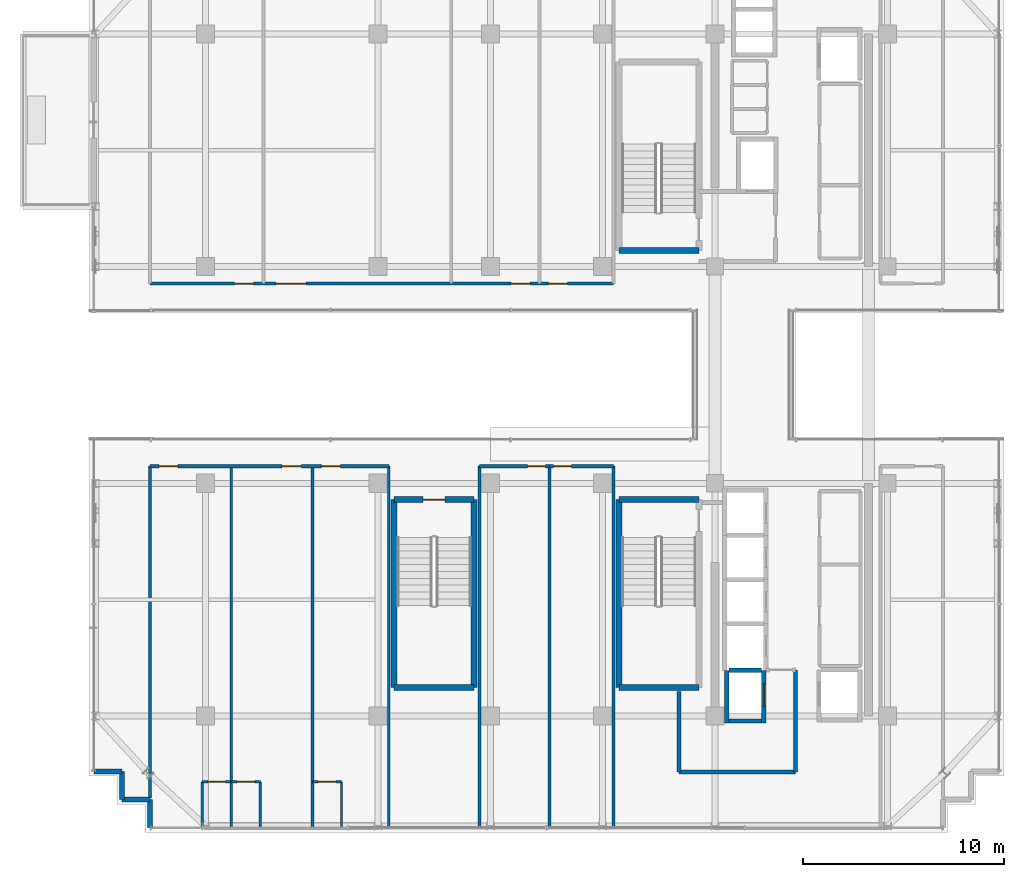
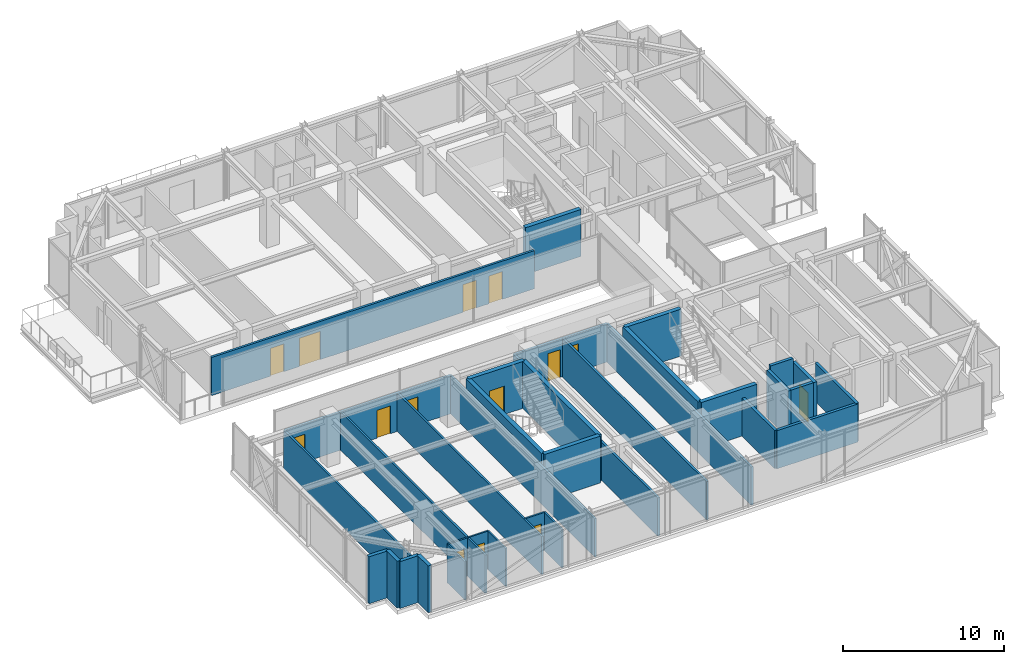
# One storey, part 34 of 41: 36 walls, 14 doors, 14 openings.
"""IFC4 building model written with IfcOpenShell, lengths in metres."""

from ifc_helpers import new_model, si_unit, direction, frame, frame_2d, origin, place, context, subcontext, project, spatial, rectangle, extrude, source, transform, mapped, material, layer, layer_set, type_object, element, fill, save


model = new_model("IFC4")

# Units and contexts
model_context = context("Model", 3, precision=1e-05, world=origin(), true_north=direction((0.0, 1.0)))
body_context = subcontext(model_context, "Body", "Model", "MODEL_VIEW")
ifc_project = project(units=[si_unit("LENGTHUNIT", "METRE"), si_unit("AREAUNIT", "SQUARE_METRE"), si_unit("VOLUMEUNIT", "CUBIC_METRE"), si_unit("PLANEANGLEUNIT", "RADIAN"), si_unit("MASSUNIT", "GRAM", prefix="KILO")], contexts=[model_context])

# Site, building, storey
site_placement = place(None, origin())
site = spatial("IfcSite", under=ifc_project, at=site_placement, CompositionType="ELEMENT")
building_placement = place(site_placement, origin())
building = spatial("IfcBuilding", under=site, at=building_placement, Name="Nahalor Promenade Grand Hotel", CompositionType="ELEMENT")
storey_placement = place(building_placement, frame((0.0, 0.0, 304.199951171875)))
storey = spatial("IfcBuildingStorey", under=building, at=storey_placement, Name="L78", CompositionType="ELEMENT", Elevation=304.199951171875)

# Walls
ifc_material_1 = material(Name="Concrete B-50 (C40/50)", Category="concrete")
ifc_layer_1 = layer(ifc_material_1, 0.300048828125)
ifc_layer_set_1 = layer_set([ifc_layer_1], Name="Concrete B-50 (C40/50)")
wall_type_1 = type_object("IfcWallType", Name="Wall-ShaftShear-300", PredefinedType="SHEAR", material=ifc_layer_set_1)
shared_shape_1 = source(origin(), body_context, "Body", "SweptSolid", [
    extrude(rectangle(XDim=3.97998046875, YDim=0.300048828125, at=frame_2d((1.989990234375, 0.0))), origin(), (0.0, 0.0, 1.0), 3.550048828125),
])
for number, where, z_axis, x_axis, name in (
    (1, (3.610107421875, 6.2099609375, 0.0), (0.0, 0.0, 1.0), (1.0, 0.0, 0.0), "L78 Exit Stair ST1 Shaft Wall S"),
    (2, (3.610107421875, -15.590087890625, 0.0), (0.0, 0.0, 1.0), (1.0, 0.0, 0.0), "L78 Exit Stair ST2 Shaft Wall S"),
    (3, (3.610107421875, -6.2099609375, 0.0), (0.0, 0.0, 1.0), (1.0, 0.0, 0.0), "L78 Exit Stair ST2 Shaft Wall N"),
    (4, (-7.590087890625, -15.590087890625, 0.0), (0.0, 0.0, 1.0), (1.0, 0.0, 0.0), "L78 Exit Stair ST3 Shaft Wall S"),
):
    element("IfcWall", number, at=place(storey_placement, frame(where, z_axis=z_axis, x_axis=x_axis)), inside=storey, type_object=wall_type_1, Name=name, PredefinedType="SHEAR", context=body_context, shape_type="MappedRepresentation", body=[
        mapped(shared_shape_1, transform((0.0, 0.0, 0.0), scale=1.0)),
    ])

# Wall, opening, door
wall_1_placement = place(storey_placement, frame((-7.590087890625, -6.2099609375, 0.0), z_axis=(0.0, 0.0, 1.0), x_axis=(1.0, 0.0, 0.0)))
wall_1 = element("IfcWall", 5, at=wall_1_placement, inside=storey, type_object=wall_type_1, Name="L78 Exit Stair ST3 Shaft Wall N", PredefinedType="SHEAR", context=body_context, shape_type="MappedRepresentation", body=[
    mapped(shared_shape_1, transform((0.0, 0.0, 0.0), scale=1.0)),
])
opening_1_placement = place(wall_1_placement, frame((1.43994140625, 0.0, 0.0)))
opening_1 = element("IfcOpeningElement", 6, at=opening_1_placement, cuts=wall_1, Name="Opening D-ST1", PredefinedType="OPENING", context=body_context, shape_type="SweptSolid", body=[
    extrude(rectangle(XDim=1.10009765625, YDim=2.14990234375, at=frame_2d((0.550048828125, 1.074951171875))), frame((0.0, 0.159912109375, 0.0), z_axis=(0.0, -1.0, 0.0), x_axis=(1.0, 0.0, 0.0)), (0.0, 0.0, 1.0), 0.320068359375),
])
ifc_material_2 = material(Name="Steel S355JR", Category="steel")
door_type_1 = type_object("IfcDoorType", Name="Door-StairFire-1100", OperationType="NOTDEFINED", PredefinedType="DOOR", material=ifc_material_2)
shared_shape_2 = source(origin(), body_context, "Body", "SweptSolid", [
    extrude(rectangle(XDim=1.10009765625, YDim=2.14990234375, at=frame_2d((0.550048828125, 1.074951171875))), frame((0.0, 0.02490234375, 0.0), z_axis=(0.0, -1.0, 0.0), x_axis=(1.0, 0.0, 0.0)), (0.0, 0.0, 1.0), 0.050048828125),
])
door_1_placement = place(opening_1_placement, frame((1.10009765625, 0.0, 0.0), z_axis=(0.0, 0.0, 1.0), x_axis=(-1.0, 0.0, 0.0)))
door_1 = element("IfcDoor", 7, at=door_1_placement, inside=storey, type_object=door_type_1, Name="DR-STAIR-ST3-L78", OperationType="SINGLE_SWING_LEFT", OverallHeight=2.14990234375, OverallWidth=1.10009765625, PredefinedType="DOOR", context=body_context, shape_type="MappedRepresentation", body=[
    mapped(shared_shape_2, transform((0.0, 0.0, 0.0), scale=1.0)),
])
fill(opening_1, door_1)

# Walls
shared_shape_3 = source(origin(), body_context, "Body", "SweptSolid", [
    extrude(rectangle(XDim=9.380126953125, YDim=0.300048828125, at=frame_2d((4.68994140625, 0.0))), origin(), (0.0, 0.0, 1.0), 3.550048828125),
])
for number, where, z_axis, x_axis, name in (
    (8, (3.610107421875, -15.590087890625, 0.0), (0.0, 0.0, 1.0), (0.0, 1.0, 0.0), "L78 Exit Stair ST2 Shaft Wall W"),
    (9, (-7.590087890625, -15.590087890625, 0.0), (0.0, 0.0, 1.0), (0.0, 1.0, 0.0), "L78 Exit Stair ST3 Shaft Wall W"),
    (10, (-3.610107421875, -15.590087890625, 0.0), (0.0, 0.0, 1.0), (0.0, 1.0, 0.0), "L78 Exit Stair ST3 Shaft Wall E"),
):
    element("IfcWall", number, at=place(storey_placement, frame(where, z_axis=z_axis, x_axis=x_axis)), inside=storey, type_object=wall_type_1, Name=name, PredefinedType="SHEAR", context=body_context, shape_type="MappedRepresentation", body=[
        mapped(shared_shape_3, transform((0.0, 0.0, 0.0), scale=1.0)),
    ])
ifc_layer_2 = layer(ifc_material_1, 0.219970703125)
ifc_layer_set_2 = layer_set([ifc_layer_2], Name="Concrete B-50 (C40/50)")
wall_type_2 = type_object("IfcWallType", Name="Wall-LiftShaft-220", PredefinedType="SHEAR", material=ifc_layer_set_2)
shared_shape_4 = source(origin(), body_context, "Body", "SweptSolid", [
    extrude(rectangle(XDim=2.635009765625, YDim=0.219970703125, at=frame_2d((1.3173828125, 0.0))), origin(), (0.0, 0.0, 1.0), 3.550048828125),
])
wall_2_placement = place(storey_placement, frame((8.97998046875, -17.360107421875, 0.0), z_axis=(0.0, 0.0, 1.0), x_axis=(0.0, 1.0, 0.0)))
element("IfcWall", 11, at=wall_2_placement, inside=storey, type_object=wall_type_2, Name="L78 Lift FL2 Hoistway Wall W", PredefinedType="SHEAR", context=body_context, shape_type="MappedRepresentation", body=[
    mapped(shared_shape_4, transform((0.0, 0.0, 0.0), scale=1.0)),
])

# Wall, opening, door
wall_3_placement = place(storey_placement, frame((10.820068359375, -17.360107421875, 0.0), z_axis=(0.0, 0.0, 1.0), x_axis=(0.0, 1.0, 0.0)))
wall_3 = element("IfcWall", 12, at=wall_3_placement, inside=storey, type_object=wall_type_2, Name="L78 Lift FL2 Hoistway Wall E", PredefinedType="SHEAR", context=body_context, shape_type="MappedRepresentation", body=[
    mapped(shared_shape_4, transform((0.0, 0.0, 0.0), scale=1.0)),
])
opening_2_placement = place(wall_3_placement, frame((0.860107421875, 0.0, 0.0)))
opening_2 = element("IfcOpeningElement", 13, at=opening_2_placement, cuts=wall_3, Name="Opening LD-02", PredefinedType="OPENING", context=body_context, shape_type="SweptSolid", body=[
    extrude(rectangle(XDim=1.10009765625, YDim=2.199951171875, at=frame_2d((0.550048828125, 1.10009765625))), frame((0.0, 0.119873046875, 0.0), z_axis=(0.0, -1.0, 0.0), x_axis=(1.0, 0.0, 0.0)), (0.0, 0.0, 1.0), 0.239990234375),
])
door_type_2 = type_object("IfcDoorType", Name="Door-LiftFF-1100", OperationType="DOUBLE_DOOR_SLIDING", PredefinedType="DOOR", material=ifc_material_2)
shared_shape_5 = source(origin(), body_context, "Body", "SweptSolid", [
    extrude(rectangle(XDim=1.10009765625, YDim=2.199951171875, at=frame_2d((0.550048828125, 1.10009765625))), frame((0.0, 0.02490234375, 0.0), z_axis=(0.0, -1.0, 0.0), x_axis=(1.0, 0.0, 0.0)), (0.0, 0.0, 1.0), 0.050048828125),
])
door_2_placement = place(opening_2_placement, frame((1.10009765625, 0.0, 0.0), z_axis=(0.0, 0.0, 1.0), x_axis=(-1.0, 0.0, 0.0)))
door_2 = element("IfcDoor", 14, at=door_2_placement, inside=storey, type_object=door_type_2, Name="DR-LIFT-FL2-L78", OperationType="DOUBLE_DOOR_SLIDING", OverallHeight=2.199951171875, OverallWidth=1.10009765625, PredefinedType="DOOR", context=body_context, shape_type="MappedRepresentation", body=[
    mapped(shared_shape_5, transform((0.0, 0.0, 0.0), scale=1.0)),
])
fill(opening_2, door_2)

# Walls
shared_shape_6 = source(origin(), body_context, "Body", "SweptSolid", [
    extrude(rectangle(XDim=1.619873046875, YDim=0.219970703125, at=frame_2d((0.81005859375, 0.0))), origin(), (0.0, 0.0, 1.0), 3.550048828125),
])
wall_4_placement = place(storey_placement, frame((9.090087890625, -17.25, 0.0), z_axis=(0.0, 0.0, 1.0), x_axis=(1.0, 0.0, 0.0)))
element("IfcWall", 15, at=wall_4_placement, inside=storey, type_object=wall_type_2, Name="L78 Lift FL2 Hoistway Wall S", PredefinedType="SHEAR", context=body_context, shape_type="MappedRepresentation", body=[
    mapped(shared_shape_6, transform((0.0, 0.0, 0.0), scale=1.0)),
])
shared_shape_7 = source(origin(), body_context, "Body", "SweptSolid", [
    extrude(rectangle(XDim=1.619873046875, YDim=0.219970703125, at=frame_2d((0.81005859375, 0.0))), origin(), (0.0, 0.0, 1.0), 3.85009765625),
])
wall_5_placement = place(storey_placement, frame((9.090087890625, -14.72509765625, 0.0), z_axis=(0.0, 0.0, 1.0), x_axis=(1.0, 0.0, 0.0)))
element("IfcWall", 16, at=wall_5_placement, inside=storey, type_object=wall_type_2, Name="L78 Lift FL2 Hoistway Wall N", PredefinedType="SHEAR", context=body_context, shape_type="MappedRepresentation", body=[
    mapped(shared_shape_7, transform((0.0, 0.0, 0.0), scale=1.0)),
])
ifc_material_3 = material(Name="Concrete B-40 (C32/40)", Category="concrete")
ifc_layer_3 = layer(ifc_material_3, 0.25)
ifc_layer_set_3 = layer_set([ifc_layer_3], Name="Concrete B-40 (C32/40)")
wall_type_3 = type_object("IfcWallType", Name="Wall-BronzePier-250", PredefinedType="STANDARD", material=ifc_layer_set_3)
shared_shape_8 = source(origin(), body_context, "Body", "SweptSolid", [
    extrude(rectangle(XDim=1.400146484375, YDim=0.25, at=frame_2d((0.7001953125, 0.0))), origin(), (0.0, 0.0, 1.0), 3.550048828125),
])
for number, where, z_axis, x_axis, name in (
    (17, (-22.56005859375, -19.760009765625, 0.0), (0.0, 0.0, 1.0), (1.0, 0.0, 0.0), "W-L78-SR-13"),
    (18, (-19.760009765625, -22.56005859375, 0.0), (0.0, 0.0, 1.0), (0.0, 1.0, 0.0), "W-L78-SR-16"),
):
    element("IfcWall", number, at=place(storey_placement, frame(where, z_axis=z_axis, x_axis=x_axis)), inside=storey, type_object=wall_type_3, Name=name, PredefinedType="STANDARD", context=body_context, shape_type="MappedRepresentation", body=[
        mapped(shared_shape_8, transform((0.0, 0.0, 0.0), scale=1.0)),
    ])
shared_shape_9 = source(origin(), body_context, "Body", "SweptSolid", [
    extrude(rectangle(XDim=1.39990234375, YDim=0.25, at=frame_2d((0.699951171875, 0.0))), origin(), (0.0, 0.0, 1.0), 3.550048828125),
])
for number, where, z_axis, x_axis, name in (
    (19, (-21.159912109375, -21.159912109375, 0.0), (0.0, 0.0, 1.0), (0.0, 1.0, 0.0), "W-L78-SR-14"),
    (20, (-21.159912109375, -21.159912109375, 0.0), (0.0, 0.0, 1.0), (1.0, 0.0, 0.0), "W-L78-SR-15"),
):
    element("IfcWall", number, at=place(storey_placement, frame(where, z_axis=z_axis, x_axis=x_axis)), inside=storey, type_object=wall_type_3, Name=name, PredefinedType="STANDARD", context=body_context, shape_type="MappedRepresentation", body=[
        mapped(shared_shape_9, transform((0.0, 0.0, 0.0), scale=1.0)),
    ])
ifc_layer_4 = layer(ifc_material_3, 0.199951171875)
ifc_layer_set_4 = layer_set([ifc_layer_4], Name="Concrete B-40 (C32/40)")
wall_type_4 = type_object("IfcWallType", Name="Wall-PartFire-200", PredefinedType="PARTITIONING", material=ifc_layer_set_4)
shared_shape_10 = source(origin(), body_context, "Body", "SweptSolid", [
    extrude(rectangle(XDim=5.81982421875, YDim=0.199951171875, at=frame_2d((2.909912109375, 0.0))), origin(), (0.0, 0.0, 1.0), 2.89013671875),
])
wall_6_placement = place(storey_placement, frame((6.60009765625, -19.800048828125, 0.0), z_axis=(0.0, 0.0, 1.0), x_axis=(1.0, 0.0, 0.0)))
element("IfcWall", 21, at=wall_6_placement, inside=storey, type_object=wall_type_4, Name="W-L78-FF2-S1", PredefinedType="PARTITIONING", context=body_context, shape_type="MappedRepresentation", body=[
    mapped(shared_shape_10, transform((0.0, 0.0, 0.0), scale=1.0)),
])
shared_shape_11 = source(origin(), body_context, "Body", "SweptSolid", [
    extrude(rectangle(XDim=4.030029296875, YDim=0.199951171875, at=frame_2d((2.01513671875, 0.0))), origin(), (0.0, 0.0, 1.0), 2.89013671875),
])
wall_7_placement = place(storey_placement, frame((6.60009765625, -19.800048828125, 0.0), z_axis=(0.0, 0.0, 1.0), x_axis=(0.0, 1.0, 0.0)))
element("IfcWall", 22, at=wall_7_placement, inside=storey, type_object=wall_type_4, Name="W-L78-FF2-W1", PredefinedType="PARTITIONING", context=body_context, shape_type="MappedRepresentation", body=[
    mapped(shared_shape_11, transform((0.0, 0.0, 0.0), scale=1.0)),
])
shared_shape_12 = source(origin(), body_context, "Body", "SweptSolid", [
    extrude(rectangle(XDim=5.10009765625, YDim=0.199951171875, at=frame_2d((2.550048828125, 0.0))), origin(), (0.0, 0.0, 1.0), 2.89013671875),
])
wall_8_placement = place(storey_placement, frame((12.419921875, -19.800048828125, 0.0), z_axis=(0.0, 0.0, 1.0), x_axis=(0.0, 1.0, 0.0)))
element("IfcWall", 23, at=wall_8_placement, inside=storey, type_object=wall_type_4, Name="W-L78-FF2-E", PredefinedType="PARTITIONING", context=body_context, shape_type="MappedRepresentation", body=[
    mapped(shared_shape_12, transform((0.0, 0.0, 0.0), scale=1.0)),
])
ifc_material_4 = material(Name="Acoustic Mineral Gypsum", Category="gypsum")
ifc_layer_5 = layer(ifc_material_4, 0.159912109375)
ifc_layer_set_5 = layer_set([ifc_layer_5], Name="Acoustic Mineral Gypsum")
wall_type_5 = type_object("IfcWallType", Name="Wall-PartCorridor-160", PredefinedType="PARTITIONING", material=ifc_layer_set_5)
shared_shape_13 = source(origin(), body_context, "Body", "SweptSolid", [
    extrude(rectangle(XDim=17.949951171875, YDim=0.159912109375, at=frame_2d((8.97509765625, 0.0))), origin(), (0.0, 0.0, 1.0), 2.89013671875),
])
for number, where, z_axis, x_axis, name in (
    (24, (-3.340087890625, -22.5, 0.0), (0.0, 0.0, 1.0), (0.0, 1.0, 0.0), "W-L78-SCB1-W"),
    (25, (0.14990234375, -22.5, 0.0), (0.0, 0.0, 1.0), (0.0, 1.0, 0.0), "W-L78-SCB1-E"),
    (26, (3.340087890625, -22.5, 0.0), (0.0, 0.0, 1.0), (0.0, 1.0, 0.0), "W-L78-SCB2-E"),
):
    element("IfcWall", number, at=place(storey_placement, frame(where, z_axis=z_axis, x_axis=x_axis)), inside=storey, type_object=wall_type_5, Name=name, PredefinedType="PARTITIONING", context=body_context, shape_type="MappedRepresentation", body=[
        mapped(shared_shape_13, transform((0.0, 0.0, 0.0), scale=1.0)),
    ])

# Wall, openings, doors
shared_shape_14 = source(origin(), body_context, "Body", "SweptSolid", [
    extrude(rectangle(XDim=23.10009765625, YDim=0.159912109375, at=frame_2d((11.550048828125, 0.0))), origin(), (0.0, 0.0, 1.0), 2.89013671875),
])
wall_9_placement = place(storey_placement, frame((-19.760009765625, 4.550048828125, 0.0), z_axis=(0.0, 0.0, 1.0), x_axis=(1.0, 0.0, 0.0)))
wall_9 = element("IfcWall", 27, at=wall_9_placement, inside=storey, type_object=wall_type_5, Name="W-L78-CORR-N", PredefinedType="PARTITIONING", context=body_context, shape_type="MappedRepresentation", body=[
    mapped(shared_shape_14, transform((0.0, 0.0, 0.0), scale=1.0)),
])
opening_3_placement = place(wall_9_placement, frame((4.217041015625, 0.0, 0.0)))
opening_3 = element("IfcOpeningElement", 28, at=opening_3_placement, cuts=wall_9, Name="Opening D-01", PredefinedType="OPENING", context=body_context, shape_type="SweptSolid", body=[
    extrude(rectangle(XDim=0.949951171875, YDim=2.10009765625, at=frame_2d((0.47509765625, 1.050048828125))), frame((0.0, 0.08984375, 0.0), z_axis=(0.0, -1.0, 0.0), x_axis=(1.0, 0.0, 0.0)), (0.0, 0.0, 1.0), 0.179931640625),
])
opening_4_placement = place(wall_9_placement, frame((6.282958984375, 0.0, 0.0)))
opening_4 = element("IfcOpeningElement", 29, at=opening_4_placement, cuts=wall_9, Name="Opening D-02", PredefinedType="OPENING", context=body_context, shape_type="SweptSolid", body=[
    extrude(rectangle(XDim=1.5, YDim=2.14990234375, at=frame_2d((0.75, 1.074951171875))), frame((0.0, 0.08984375, 0.0), z_axis=(0.0, -1.0, 0.0), x_axis=(1.0, 0.0, 0.0)), (0.0, 0.0, 1.0), 0.179931640625),
])
opening_5_placement = place(wall_9_placement, frame((17.991943359375, 0.0, 0.0)))
opening_5 = element("IfcOpeningElement", 30, at=opening_5_placement, cuts=wall_9, Name="Opening D-01", PredefinedType="OPENING", context=body_context, shape_type="SweptSolid", body=[
    extrude(rectangle(XDim=0.949951171875, YDim=2.10009765625, at=frame_2d((0.47509765625, 1.050048828125))), frame((0.0, 0.08984375, 0.0), z_axis=(0.0, -1.0, 0.0), x_axis=(1.0, 0.0, 0.0)), (0.0, 0.0, 1.0), 0.179931640625),
])
opening_6_placement = place(wall_9_placement, frame((19.85107421875, 0.0, 0.0)))
opening_6 = element("IfcOpeningElement", 31, at=opening_6_placement, cuts=wall_9, Name="Opening D-01", PredefinedType="OPENING", context=body_context, shape_type="SweptSolid", body=[
    extrude(rectangle(XDim=0.949951171875, YDim=2.10009765625, at=frame_2d((0.47509765625, 1.050048828125))), frame((0.0, 0.08984375, 0.0), z_axis=(0.0, -1.0, 0.0), x_axis=(1.0, 0.0, 0.0)), (0.0, 0.0, 1.0), 0.179931640625),
])
ifc_material_5 = material(Name="Fire-Rated Timber Composite", Category="wood")
door_type_3 = type_object("IfcDoorType", Name="Door-SuiteDouble-1500", OperationType="DOUBLE_DOOR_SINGLE_SWING", PredefinedType="DOOR", material=ifc_material_5)
shared_shape_15 = source(origin(), body_context, "Body", "SweptSolid", [
    extrude(rectangle(XDim=1.5, YDim=2.14990234375, at=frame_2d((0.75, 1.074951171875))), frame((0.0, 0.02490234375, 0.0), z_axis=(0.0, -1.0, 0.0), x_axis=(1.0, 0.0, 0.0)), (0.0, 0.0, 1.0), 0.050048828125),
])
door_3_placement = place(opening_4_placement, origin())
door_3 = element("IfcDoor", 32, at=door_3_placement, inside=storey, type_object=door_type_3, Name="DR-L78-N2-ENT", OperationType="DOUBLE_DOOR_SINGLE_SWING", OverallHeight=2.14990234375, OverallWidth=1.5, PredefinedType="DOOR", context=body_context, shape_type="MappedRepresentation", body=[
    mapped(shared_shape_15, transform((0.0, 0.0, 0.0), scale=1.0)),
])
fill(opening_4, door_3)
door_type_4 = type_object("IfcDoorType", Name="Door-GuestEntry-950", OperationType="NOTDEFINED", PredefinedType="DOOR", material=ifc_material_5)
shared_shape_16 = source(origin(), body_context, "Body", "SweptSolid", [
    extrude(rectangle(XDim=0.949951171875, YDim=2.10009765625, at=frame_2d((0.47509765625, 1.050048828125))), frame((0.0, 0.02490234375, 0.0), z_axis=(0.0, -1.0, 0.0), x_axis=(1.0, 0.0, 0.0)), (0.0, 0.0, 1.0), 0.050048828125),
])
door_4_placement = place(opening_3_placement, origin())
door_4 = element("IfcDoor", 33, at=door_4_placement, inside=storey, type_object=door_type_4, Name="DR-L78-N1-ENT", OperationType="SINGLE_SWING_LEFT", OverallHeight=2.10009765625, OverallWidth=0.949951171875, PredefinedType="DOOR", context=body_context, shape_type="MappedRepresentation", body=[
    mapped(shared_shape_16, transform((0.0, 0.0, 0.0), scale=1.0)),
])
fill(opening_3, door_4)
door_5_placement = place(opening_5_placement, origin())
door_5 = element("IfcDoor", 34, at=door_5_placement, inside=storey, type_object=door_type_4, Name="DR-L78-N3-ENT", OperationType="SINGLE_SWING_RIGHT", OverallHeight=2.10009765625, OverallWidth=0.949951171875, PredefinedType="DOOR", context=body_context, shape_type="MappedRepresentation", body=[
    mapped(shared_shape_16, transform((0.0, 0.0, 0.0), scale=1.0)),
])
fill(opening_5, door_5)
door_6_placement = place(opening_6_placement, origin())
door_6 = element("IfcDoor", 35, at=door_6_placement, inside=storey, type_object=door_type_4, Name="DR-L78-N4-ENT", OperationType="SINGLE_SWING_RIGHT", OverallHeight=2.10009765625, OverallWidth=0.949951171875, PredefinedType="DOOR", context=body_context, shape_type="MappedRepresentation", body=[
    mapped(shared_shape_16, transform((0.0, 0.0, 0.0), scale=1.0)),
])
fill(opening_6, door_6)

# Walls
ifc_layer_6 = layer(ifc_material_4, 0.139892578125)
ifc_layer_set_6 = layer_set([ifc_layer_6], Name="Acoustic Mineral Gypsum")
wall_type_6 = type_object("IfcWallType", Name="Wall-PartSuite-140", PredefinedType="PARTITIONING", material=ifc_layer_set_6)
shared_shape_17 = source(origin(), body_context, "Body", "SweptSolid", [
    extrude(rectangle(XDim=16.530029296875, YDim=0.139892578125, at=frame_2d((8.26513671875, 0.0))), origin(), (0.0, 0.0, 1.0), 2.89013671875),
])
wall_10_placement = place(storey_placement, frame((-19.760009765625, -21.080078125, 0.0), z_axis=(0.0, 0.0, 1.0), x_axis=(0.0, 1.0, 0.0)))
element("IfcWall", 36, at=wall_10_placement, inside=storey, type_object=wall_type_6, Name="W-L78-SW-ENDW", PredefinedType="PARTITIONING", context=body_context, shape_type="MappedRepresentation", body=[
    mapped(shared_shape_17, transform((0.0, 0.0, 0.0), scale=1.0)),
])
shared_shape_18 = source(origin(), body_context, "Body", "SweptSolid", [
    extrude(rectangle(XDim=17.949951171875, YDim=0.139892578125, at=frame_2d((8.97509765625, 0.0))), origin(), (0.0, 0.0, 1.0), 2.89013671875),
])
for number, where, z_axis, x_axis, name in (
    (37, (-7.860107421875, -22.5, 0.0), (0.0, 0.0, 1.0), (0.0, 1.0, 0.0), "W-L78-SW-ENDE"),
    (38, (-15.714111328125, -22.5, 0.0), (0.0, 0.0, 1.0), (0.0, 1.0, 0.0), "W-L78-SP-1"),
    (39, (-11.66796875, -22.5, 0.0), (0.0, 0.0, 1.0), (0.0, 1.0, 0.0), "W-L78-SP-2"),
):
    element("IfcWall", number, at=place(storey_placement, frame(where, z_axis=z_axis, x_axis=x_axis)), inside=storey, type_object=wall_type_6, Name=name, PredefinedType="PARTITIONING", context=body_context, shape_type="MappedRepresentation", body=[
        mapped(shared_shape_18, transform((0.0, 0.0, 0.0), scale=1.0)),
    ])

# Wall, opening, door
ifc_layer_7 = layer(ifc_material_4, 0.1201171875)
ifc_layer_set_7 = layer_set([ifc_layer_7], Name="Acoustic Mineral Gypsum")
wall_type_7 = type_object("IfcWallType", Name="Wall-PartBath-120", PredefinedType="PARTITIONING", material=ifc_layer_set_7)
shared_shape_19 = source(origin(), body_context, "Body", "SweptSolid", [
    extrude(rectangle(XDim=1.449951171875, YDim=0.1201171875, at=frame_2d((0.72509765625, 0.0))), origin(), (0.0, 0.0, 1.0), 2.89013671875),
])
wall_11_placement = place(storey_placement, frame((-17.1640625, -20.280029296875, 0.0), z_axis=(0.0, 0.0, 1.0), x_axis=(1.0, 0.0, 0.0)))
wall_11 = element("IfcWall", 40, at=wall_11_placement, inside=storey, type_object=wall_type_7, Name="W-L78-S1-BH", PredefinedType="PARTITIONING", context=body_context, shape_type="MappedRepresentation", body=[
    mapped(shared_shape_19, transform((0.0, 0.0, 0.0), scale=1.0)),
])
opening_7_placement = place(wall_11_placement, frame((0.284912109375, 0.0, 0.0)))
opening_7 = element("IfcOpeningElement", 41, at=opening_7_placement, cuts=wall_11, Name="Opening D-03", PredefinedType="OPENING", context=body_context, shape_type="SweptSolid", body=[
    extrude(rectangle(XDim=0.8798828125, YDim=2.10009765625, at=frame_2d((0.43994140625, 1.050048828125))), frame((0.0, 0.070068359375, 0.0), z_axis=(0.0, -1.0, 0.0), x_axis=(1.0, 0.0, 0.0)), (0.0, 0.0, 1.0), 0.14013671875),
])
door_type_5 = type_object("IfcDoorType", Name="Door-BathSwing-880", OperationType="NOTDEFINED", PredefinedType="DOOR", material=ifc_material_5)
shared_shape_20 = source(origin(), body_context, "Body", "SweptSolid", [
    extrude(rectangle(XDim=0.8798828125, YDim=2.10009765625, at=frame_2d((0.43994140625, 1.050048828125))), frame((0.0, 0.02490234375, 0.0), z_axis=(0.0, -1.0, 0.0), x_axis=(1.0, 0.0, 0.0)), (0.0, 0.0, 1.0), 0.050048828125),
])
door_7_placement = place(opening_7_placement, frame((0.8798828125, 0.0, 0.0), z_axis=(0.0, 0.0, 1.0), x_axis=(-1.0, 0.0, 0.0)))
door_7 = element("IfcDoor", 42, at=door_7_placement, inside=storey, type_object=door_type_5, Name="DR-L78-S1-BATH", OperationType="SINGLE_SWING_LEFT", OverallHeight=2.10009765625, OverallWidth=0.8798828125, PredefinedType="DOOR", context=body_context, shape_type="MappedRepresentation", body=[
    mapped(shared_shape_20, transform((0.0, 0.0, 0.0), scale=1.0)),
])
fill(opening_7, door_7)

wall_12_placement = place(storey_placement, frame((-11.66796875, -20.280029296875, 0.0), z_axis=(0.0, 0.0, 1.0), x_axis=(1.0, 0.0, 0.0)))
wall_12 = element("IfcWall", 43, at=wall_12_placement, inside=storey, type_object=wall_type_7, Name="W-L78-S3-BH", PredefinedType="PARTITIONING", context=body_context, shape_type="MappedRepresentation", body=[
    mapped(shared_shape_19, transform((0.0, 0.0, 0.0), scale=1.0)),
])
opening_8_placement = place(wall_12_placement, frame((0.284912109375, 0.0, 0.0)))
opening_8 = element("IfcOpeningElement", 44, at=opening_8_placement, cuts=wall_12, Name="Opening D-03", PredefinedType="OPENING", context=body_context, shape_type="SweptSolid", body=[
    extrude(rectangle(XDim=0.8798828125, YDim=2.10009765625, at=frame_2d((0.43994140625, 1.050048828125))), frame((0.0, 0.070068359375, 0.0), z_axis=(0.0, -1.0, 0.0), x_axis=(1.0, 0.0, 0.0)), (0.0, 0.0, 1.0), 0.14013671875),
])
door_8_placement = place(opening_8_placement, frame((0.8798828125, 0.0, 0.0), z_axis=(0.0, 0.0, 1.0), x_axis=(-1.0, 0.0, 0.0)))
door_8 = element("IfcDoor", 45, at=door_8_placement, inside=storey, type_object=door_type_5, Name="DR-L78-S3-BATH", OperationType="SINGLE_SWING_LEFT", OverallHeight=2.10009765625, OverallWidth=0.8798828125, PredefinedType="DOOR", context=body_context, shape_type="MappedRepresentation", body=[
    mapped(shared_shape_20, transform((0.0, 0.0, 0.0), scale=1.0)),
])
fill(opening_8, door_8)

# Walls
shared_shape_21 = source(origin(), body_context, "Body", "SweptSolid", [
    extrude(rectangle(XDim=2.219970703125, YDim=0.1201171875, at=frame_2d((1.10986328125, 0.0))), origin(), (0.0, 0.0, 1.0), 2.89013671875),
])
for number, where, z_axis, x_axis, name in (
    (46, (-17.1640625, -22.5, 0.0), (0.0, 0.0, 1.0), (0.0, 1.0, 0.0), "W-L78-S1-BV"),
    (47, (-14.263916015625, -22.5, 0.0), (0.0, 0.0, 1.0), (0.0, 1.0, 0.0), "W-L78-S2-BV"),
    (48, (-10.218017578125, -22.5, 0.0), (0.0, 0.0, 1.0), (0.0, 1.0, 0.0), "W-L78-S3-BV"),
):
    element("IfcWall", number, at=place(storey_placement, frame(where, z_axis=z_axis, x_axis=x_axis)), inside=storey, type_object=wall_type_7, Name=name, PredefinedType="PARTITIONING", context=body_context, shape_type="MappedRepresentation", body=[
        mapped(shared_shape_21, transform((0.0, 0.0, 0.0), scale=1.0)),
    ])

# Wall, openings, doors
shared_shape_22 = source(origin(), body_context, "Body", "SweptSolid", [
    extrude(rectangle(XDim=11.89990234375, YDim=0.159912109375, at=frame_2d((5.949951171875, 0.0))), origin(), (0.0, 0.0, 1.0), 2.89013671875),
])
wall_13_placement = place(storey_placement, frame((-19.760009765625, -4.550048828125, 0.0), z_axis=(0.0, 0.0, 1.0), x_axis=(1.0, 0.0, 0.0)))
wall_13 = element("IfcWall", 49, at=wall_13_placement, inside=storey, type_object=wall_type_5, Name="W-L78-CORR-S", PredefinedType="PARTITIONING", context=body_context, shape_type="MappedRepresentation", body=[
    mapped(shared_shape_22, transform((0.0, 0.0, 0.0), scale=1.0)),
])
opening_9_placement = place(wall_13_placement, frame((0.455078125, 0.0, 0.0)))
opening_9 = element("IfcOpeningElement", 50, at=opening_9_placement, cuts=wall_13, Name="Opening D-01", PredefinedType="OPENING", context=body_context, shape_type="SweptSolid", body=[
    extrude(rectangle(XDim=0.949951171875, YDim=2.10009765625, at=frame_2d((0.47509765625, 1.050048828125))), frame((0.0, 0.08984375, 0.0), z_axis=(0.0, -1.0, 0.0), x_axis=(1.0, 0.0, 0.0)), (0.0, 0.0, 1.0), 0.179931640625),
])
opening_10_placement = place(wall_13_placement, frame((6.587890625, 0.0, 0.0)))
opening_10 = element("IfcOpeningElement", 51, at=opening_10_placement, cuts=wall_13, Name="Opening D-01", PredefinedType="OPENING", context=body_context, shape_type="SweptSolid", body=[
    extrude(rectangle(XDim=0.949951171875, YDim=2.10009765625, at=frame_2d((0.47509765625, 1.050048828125))), frame((0.0, 0.08984375, 0.0), z_axis=(0.0, -1.0, 0.0), x_axis=(1.0, 0.0, 0.0)), (0.0, 0.0, 1.0), 0.179931640625),
])
opening_11_placement = place(wall_13_placement, frame((8.5419921875, 0.0, 0.0)))
opening_11 = element("IfcOpeningElement", 52, at=opening_11_placement, cuts=wall_13, Name="Opening D-01", PredefinedType="OPENING", context=body_context, shape_type="SweptSolid", body=[
    extrude(rectangle(XDim=0.949951171875, YDim=2.10009765625, at=frame_2d((0.47509765625, 1.050048828125))), frame((0.0, 0.08984375, 0.0), z_axis=(0.0, -1.0, 0.0), x_axis=(1.0, 0.0, 0.0)), (0.0, 0.0, 1.0), 0.179931640625),
])
door_9_placement = place(opening_9_placement, frame((0.949951171875, 0.0, 0.0), z_axis=(0.0, 0.0, 1.0), x_axis=(-1.0, 0.0, 0.0)))
door_9 = element("IfcDoor", 53, at=door_9_placement, inside=storey, type_object=door_type_4, Name="DR-L78-S1-ENT", OperationType="SINGLE_SWING_RIGHT", OverallHeight=2.10009765625, OverallWidth=0.949951171875, PredefinedType="DOOR", context=body_context, shape_type="MappedRepresentation", body=[
    mapped(shared_shape_16, transform((0.0, 0.0, 0.0), scale=1.0)),
])
fill(opening_9, door_9)
door_10_placement = place(opening_10_placement, frame((0.949951171875, 0.0, 0.0), z_axis=(0.0, 0.0, 1.0), x_axis=(-1.0, 0.0, 0.0)))
door_10 = element("IfcDoor", 54, at=door_10_placement, inside=storey, type_object=door_type_4, Name="DR-L78-S2-ENT", OperationType="SINGLE_SWING_RIGHT", OverallHeight=2.10009765625, OverallWidth=0.949951171875, PredefinedType="DOOR", context=body_context, shape_type="MappedRepresentation", body=[
    mapped(shared_shape_16, transform((0.0, 0.0, 0.0), scale=1.0)),
])
fill(opening_10, door_10)
door_11_placement = place(opening_11_placement, frame((0.949951171875, 0.0, 0.0), z_axis=(0.0, 0.0, 1.0), x_axis=(-1.0, 0.0, 0.0)))
door_11 = element("IfcDoor", 55, at=door_11_placement, inside=storey, type_object=door_type_4, Name="DR-L78-S3-ENT", OperationType="SINGLE_SWING_RIGHT", OverallHeight=2.10009765625, OverallWidth=0.949951171875, PredefinedType="DOOR", context=body_context, shape_type="MappedRepresentation", body=[
    mapped(shared_shape_16, transform((0.0, 0.0, 0.0), scale=1.0)),
])
fill(opening_11, door_11)

# Wall, opening, door
shared_shape_23 = source(origin(), body_context, "Body", "SweptSolid", [
    extrude(rectangle(XDim=3.489990234375, YDim=0.159912109375, at=frame_2d((1.7451171875, 0.0))), origin(), (0.0, 0.0, 1.0), 2.89013671875),
])
wall_14_placement = place(storey_placement, frame((-3.340087890625, -4.550048828125, 0.0), z_axis=(0.0, 0.0, 1.0), x_axis=(1.0, 0.0, 0.0)))
wall_14 = element("IfcWall", 56, at=wall_14_placement, inside=storey, type_object=wall_type_5, Name="W-L78-SCB1-N", PredefinedType="PARTITIONING", context=body_context, shape_type="MappedRepresentation", body=[
    mapped(shared_shape_23, transform((0.0, 0.0, 0.0), scale=1.0)),
])
opening_12_placement = place(wall_14_placement, frame((2.39990234375, 0.0, 0.0)))
opening_12 = element("IfcOpeningElement", 57, at=opening_12_placement, cuts=wall_14, Name="Opening D-03", PredefinedType="OPENING", context=body_context, shape_type="SweptSolid", body=[
    extrude(rectangle(XDim=0.8798828125, YDim=2.10009765625, at=frame_2d((0.43994140625, 1.050048828125))), frame((0.0, 0.08984375, 0.0), z_axis=(0.0, -1.0, 0.0), x_axis=(1.0, 0.0, 0.0)), (0.0, 0.0, 1.0), 0.179931640625),
])
door_12_placement = place(opening_12_placement, frame((0.8798828125, 0.0, 0.0), z_axis=(0.0, 0.0, 1.0), x_axis=(-1.0, 0.0, 0.0)))
door_12 = element("IfcDoor", 58, at=door_12_placement, inside=storey, type_object=door_type_5, Name="DR-L78-SCB1", OperationType="SINGLE_SWING_LEFT", OverallHeight=2.10009765625, OverallWidth=0.8798828125, PredefinedType="DOOR", context=body_context, shape_type="MappedRepresentation", body=[
    mapped(shared_shape_20, transform((0.0, 0.0, 0.0), scale=1.0)),
])
fill(opening_12, door_12)

shared_shape_24 = source(origin(), body_context, "Body", "SweptSolid", [
    extrude(rectangle(XDim=3.190185546875, YDim=0.159912109375, at=frame_2d((1.59521484375, 0.0))), origin(), (0.0, 0.0, 1.0), 2.89013671875),
])
wall_15_placement = place(storey_placement, frame((0.14990234375, -4.550048828125, 0.0), z_axis=(0.0, 0.0, 1.0), x_axis=(1.0, 0.0, 0.0)))
wall_15 = element("IfcWall", 59, at=wall_15_placement, inside=storey, type_object=wall_type_5, Name="W-L78-SCB2-N", PredefinedType="PARTITIONING", context=body_context, shape_type="MappedRepresentation", body=[
    mapped(shared_shape_24, transform((0.0, 0.0, 0.0), scale=1.0)),
])
opening_13_placement = place(wall_15_placement, frame((0.2099609375, 0.0, 0.0)))
opening_13 = element("IfcOpeningElement", 60, at=opening_13_placement, cuts=wall_15, Name="Opening D-03", PredefinedType="OPENING", context=body_context, shape_type="SweptSolid", body=[
    extrude(rectangle(XDim=0.8798828125, YDim=2.10009765625, at=frame_2d((0.43994140625, 1.050048828125))), frame((0.0, 0.08984375, 0.0), z_axis=(0.0, -1.0, 0.0), x_axis=(1.0, 0.0, 0.0)), (0.0, 0.0, 1.0), 0.179931640625),
])
door_13_placement = place(opening_13_placement, frame((0.8798828125, 0.0, 0.0), z_axis=(0.0, 0.0, 1.0), x_axis=(-1.0, 0.0, 0.0)))
door_13 = element("IfcDoor", 61, at=door_13_placement, inside=storey, type_object=door_type_5, Name="DR-L78-SCB2", OperationType="SINGLE_SWING_RIGHT", OverallHeight=2.10009765625, OverallWidth=0.8798828125, PredefinedType="DOOR", context=body_context, shape_type="MappedRepresentation", body=[
    mapped(shared_shape_20, transform((0.0, 0.0, 0.0), scale=1.0)),
])
fill(opening_13, door_13)

shared_shape_25 = source(origin(), body_context, "Body", "SweptSolid", [
    extrude(rectangle(XDim=1.4501953125, YDim=0.1201171875, at=frame_2d((0.72509765625, 0.0))), origin(), (0.0, 0.0, 1.0), 2.89013671875),
])
wall_16_placement = place(storey_placement, frame((-15.714111328125, -20.280029296875, 0.0), z_axis=(0.0, 0.0, 1.0), x_axis=(1.0, 0.0, 0.0)))
wall_16 = element("IfcWall", 62, at=wall_16_placement, inside=storey, type_object=wall_type_7, Name="W-L78-S2-BH", PredefinedType="PARTITIONING", context=body_context, shape_type="MappedRepresentation", body=[
    mapped(shared_shape_25, transform((0.0, 0.0, 0.0), scale=1.0)),
])
opening_14_placement = place(wall_16_placement, frame((0.284912109375, 0.0, 0.0)))
opening_14 = element("IfcOpeningElement", 63, at=opening_14_placement, cuts=wall_16, Name="Opening D-03", PredefinedType="OPENING", context=body_context, shape_type="SweptSolid", body=[
    extrude(rectangle(XDim=0.8798828125, YDim=2.10009765625, at=frame_2d((0.43994140625, 1.050048828125))), frame((0.0, 0.070068359375, 0.0), z_axis=(0.0, -1.0, 0.0), x_axis=(1.0, 0.0, 0.0)), (0.0, 0.0, 1.0), 0.14013671875),
])
door_14_placement = place(opening_14_placement, frame((0.8798828125, 0.0, 0.0), z_axis=(0.0, 0.0, 1.0), x_axis=(-1.0, 0.0, 0.0)))
door_14 = element("IfcDoor", 64, at=door_14_placement, inside=storey, type_object=door_type_5, Name="DR-L78-S2-BATH", OperationType="SINGLE_SWING_LEFT", OverallHeight=2.10009765625, OverallWidth=0.8798828125, PredefinedType="DOOR", context=body_context, shape_type="MappedRepresentation", body=[
    mapped(shared_shape_20, transform((0.0, 0.0, 0.0), scale=1.0)),
])
fill(opening_14, door_14)

save(model, "model.ifc")
